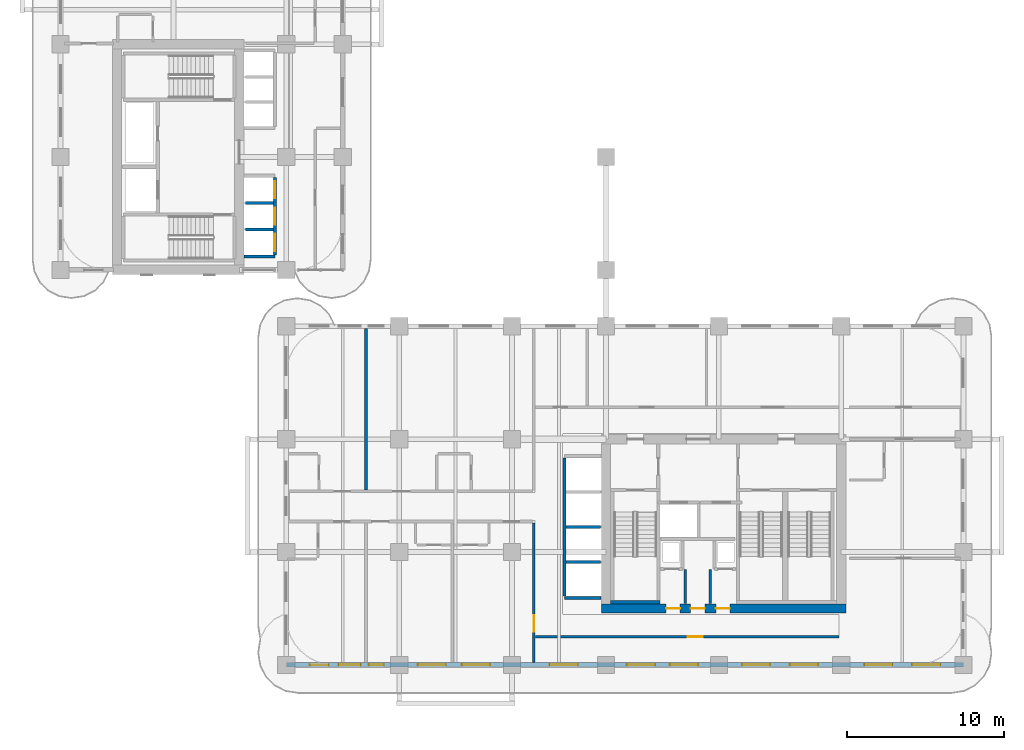
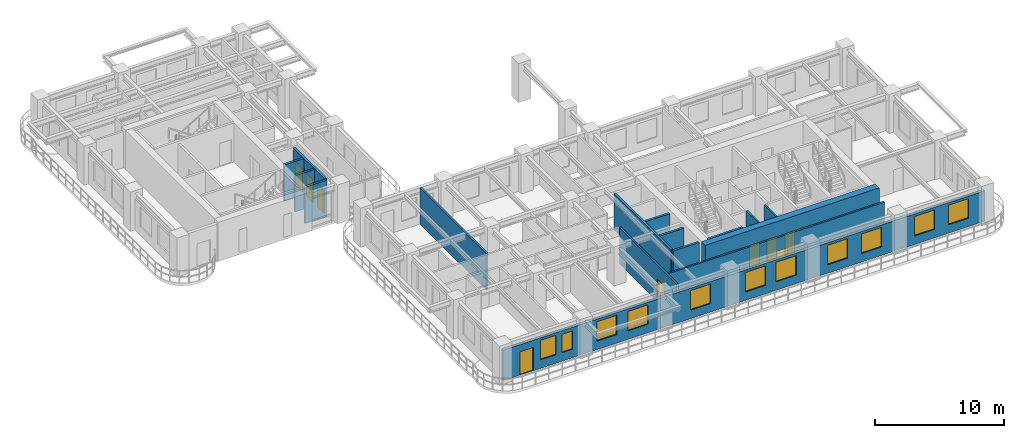
# One storey, part 7 of 18: 16 walls, 11 windows, 9 doors, 20 openings.
"""IFC4 building model written with IfcOpenShell, lengths in metres."""

from ifc_helpers import new_model, si_unit, derived_unit, direction, frame, frame_2d, origin, place, context, subcontext, project, spatial, rectangle, extrude, source, transform, mapped, material, layer, layer_set, type_object, type_shapes, element, fill, save


model = new_model("IFC4")

# Units and contexts
model_context = context("Model", 3, precision=1e-05, world=origin(), true_north=direction((0.0, 1.0)))
body_context = subcontext(model_context, "Body", "Model", "MODEL_VIEW")
ifc_project = project(units=[si_unit("LENGTHUNIT", "METRE"), si_unit("AREAUNIT", "SQUARE_METRE"), si_unit("VOLUMEUNIT", "CUBIC_METRE"), si_unit("PLANEANGLEUNIT", "RADIAN"), si_unit("MASSUNIT", "GRAM", prefix="KILO"), si_unit("THERMODYNAMICTEMPERATUREUNIT", "KELVIN"), si_unit("POWERUNIT", "WATT"), derived_unit("THERMALTRANSMITTANCEUNIT", [(si_unit("POWERUNIT", "WATT"), 1), (si_unit("AREAUNIT", "SQUARE_METRE"), -1), (si_unit("THERMODYNAMICTEMPERATUREUNIT", "KELVIN"), -1)])], contexts=[model_context])

# Site, building, storey
site_placement = place(None, origin())
site = spatial("IfcSite", under=ifc_project, at=site_placement, CompositionType="ELEMENT")
building_placement = place(site_placement, origin())
building = spatial("IfcBuilding", under=site, at=building_placement, Name="Zahravan Archway Hotel and Residences", CompositionType="ELEMENT")
storey_placement = place(building_placement, frame((0.0, 0.0, 36.10009765625)))
storey = spatial("IfcBuildingStorey", under=building, at=storey_placement, Name="L07", CompositionType="ELEMENT", Elevation=36.10009765625)

# Wall, openings, doors
ifc_material_1 = material(Name="Concrete C70/85", Category="concrete")
ifc_layer_1 = layer(ifc_material_1, 0.60009765625, Name="Concrete C70/85", Category="concrete")
ifc_layer_set_1 = layer_set([ifc_layer_1], Name="Concrete C70/85")
wall_type_1 = type_object("IfcWallType", Name="CW-CORE-600", PredefinedType="SHEAR", material=ifc_layer_set_1)
wall_1_placement = place(storey_placement, frame((34.5, 3.60009765625, 0.0), z_axis=(0.0, 0.0, 1.0), x_axis=(1.0, 0.0, 0.0)))
wall_1 = element("IfcWall", 1, at=wall_1_placement, inside=storey, type_object=wall_type_1, Name="L07 Core A Shear S Wall 600 mm", PredefinedType="SHEAR", context=body_context, shape_type="SweptSolid", body=[
    extrude(rectangle(XDim=15.60009765625, YDim=0.60009765625, at=frame_2d((7.800048828125, 0.0))), origin(), (0.0, 0.0, 1.0), 3.699951171875),
])
opening_1_placement = place(wall_1_placement, frame((4.1298828125, 0.0, 0.0)))
opening_1 = element("IfcOpeningElement", 2, at=opening_1_placement, cuts=wall_1, Name="Opening FD-R1", PredefinedType="OPENING", context=body_context, shape_type="SweptSolid", body=[
    extrude(rectangle(XDim=0.89990234375, YDim=2.10009765625, at=frame_2d((0.449951171875, 1.050048828125))), frame((0.0, 0.31005859375, 0.0), z_axis=(0.0, -1.0, 0.0), x_axis=(1.0, 0.0, 0.0)), (0.0, 0.0, 1.0), 0.6201171875),
])
opening_2_placement = place(wall_1_placement, frame((5.699951171875, 0.0, 0.0)))
opening_2 = element("IfcOpeningElement", 3, at=opening_2_placement, cuts=wall_1, Name="Opening FD-R1", PredefinedType="OPENING", context=body_context, shape_type="SweptSolid", body=[
    extrude(rectangle(XDim=0.89990234375, YDim=2.10009765625, at=frame_2d((0.449951171875, 1.050048828125))), frame((0.0, 0.31005859375, 0.0), z_axis=(0.0, -1.0, 0.0), x_axis=(1.0, 0.0, 0.0)), (0.0, 0.0, 1.0), 0.6201171875),
])
opening_3_placement = place(wall_1_placement, frame((7.300048828125, 0.0, 0.0)))
opening_3 = element("IfcOpeningElement", 4, at=opening_3_placement, cuts=wall_1, Name="Opening FD-R1", PredefinedType="OPENING", context=body_context, shape_type="SweptSolid", body=[
    extrude(rectangle(XDim=0.89990234375, YDim=2.10009765625, at=frame_2d((0.449951171875, 1.050048828125))), frame((0.0, 0.31005859375, 0.0), z_axis=(0.0, -1.0, 0.0), x_axis=(1.0, 0.0, 0.0)), (0.0, 0.0, 1.0), 0.6201171875),
])
ifc_material_2 = material(Name="Fire-Rated Painted Steel", Category="steel")
door_type_1 = type_object("IfcDoorType", Name="FD-RISER-900", OperationType="NOTDEFINED", PredefinedType="DOOR", material=ifc_material_2)
shared_shape_1 = source(origin(), body_context, "Body", "SweptSolid", [
    extrude(rectangle(XDim=0.89990234375, YDim=2.10009765625, at=frame_2d((0.449951171875, 1.050048828125))), frame((0.0, 0.02490234375, 0.0), z_axis=(0.0, -1.0, 0.0), x_axis=(1.0, 0.0, 0.0)), (0.0, 0.0, 1.0), 0.050048828125),
])
type_shapes(door_type_1, [shared_shape_1])
door_1_placement = place(opening_1_placement, origin())
door_1 = element("IfcDoor", 5, at=door_1_placement, inside=storey, type_object=door_type_1, Name="L07 Linen Store Door", OperationType="SINGLE_SWING_LEFT", OverallHeight=2.10009765625, OverallWidth=0.89990234375, PredefinedType="DOOR", context=body_context, shape_type="MappedRepresentation", body=[
    mapped(shared_shape_1, transform((0.0, 0.0, 0.0), scale=1.0)),
])
fill(opening_1, door_1)
door_2_placement = place(opening_2_placement, origin())
door_2 = element("IfcDoor", 6, at=door_2_placement, inside=storey, type_object=door_type_1, Name="L07 Housekeeping Store Door", OperationType="SINGLE_SWING_RIGHT", OverallHeight=2.10009765625, OverallWidth=0.89990234375, PredefinedType="DOOR", context=body_context, shape_type="MappedRepresentation", body=[
    mapped(shared_shape_1, transform((0.0, 0.0, 0.0), scale=1.0)),
])
fill(opening_2, door_2)
door_3_placement = place(opening_3_placement, origin())
door_3 = element("IfcDoor", 7, at=door_3_placement, inside=storey, type_object=door_type_1, Name="L07 Janitor Store Door", OperationType="SINGLE_SWING_LEFT", OverallHeight=2.10009765625, OverallWidth=0.89990234375, PredefinedType="DOOR", context=body_context, shape_type="MappedRepresentation", body=[
    mapped(shared_shape_1, transform((0.0, 0.0, 0.0), scale=1.0)),
])
fill(opening_3, door_3)

# Wall, openings, door, windows
ifc_material_3 = material(Name="Honed Red-Ochre Sandstone & Insulated Block", Category="masonry")
ifc_layer_2 = layer(ifc_material_3, 0.280029296875, Name="Honed Red-Ochre Sandstone & Insulated Block", Category="masonry")
ifc_layer_set_2 = layer_set([ifc_layer_2], Name="Honed Red-Ochre Sandstone & Insulated Block")
wall_type_2 = type_object("IfcWallType", Name="EW-LOG-280", PredefinedType="SOLIDWALL", material=ifc_layer_set_2)
wall_2_placement = place(storey_placement, frame((14.39990234375, 0.0, 0.0), z_axis=(0.0, 0.0, 1.0), x_axis=(1.0, 0.0, 0.0)))
wall_2 = element("IfcWall", 8, at=wall_2_placement, inside=storey, type_object=wall_type_2, Name="L07 Exterior Sandstone Wall WA-S", PredefinedType="SOLIDWALL", context=body_context, shape_type="SweptSolid", body=[
    extrude(rectangle(XDim=43.2001953125, YDim=0.280029296875, at=frame_2d((21.60009765625, 0.0))), origin(), (0.0, 0.0, 1.0), 2.885009765625),
])
opening_4_placement = place(wall_2_placement, frame((1.5, 0.0, 0.0)))
opening_4 = element("IfcOpeningElement", 9, at=opening_4_placement, cuts=wall_2, Name="Opening ED-BL1", PredefinedType="OPENING", context=body_context, shape_type="SweptSolid", body=[
    extrude(rectangle(XDim=1.199951171875, YDim=2.199951171875, at=frame_2d((0.60009765625, 1.10009765625))), frame((0.0, 0.14990234375, 0.0), z_axis=(0.0, -1.0, 0.0), x_axis=(1.0, 0.0, 0.0)), (0.0, 0.0, 1.0), 0.300048828125),
])
opening_5_placement = place(wall_2_placement, frame((3.3359375, 0.0, 0.800048828125)))
opening_5 = element("IfcOpeningElement", 10, at=opening_5_placement, cuts=wall_2, Name="Opening W-03", PredefinedType="OPENING", context=body_context, shape_type="SweptSolid", body=[
    extrude(rectangle(XDim=1.39990234375, YDim=1.85009765625, at=frame_2d((0.699951171875, 0.925048828125))), frame((0.0, 0.14990234375, 0.0), z_axis=(0.0, -1.0, 0.0), x_axis=(1.0, 0.0, 0.0)), (0.0, 0.0, 1.0), 0.300048828125),
])
opening_6_placement = place(wall_2_placement, frame((5.26904296875, 0.0, 0.800048828125)))
opening_6 = element("IfcOpeningElement", 11, at=opening_6_placement, cuts=wall_2, Name="Opening W-04", PredefinedType="OPENING", context=body_context, shape_type="SweptSolid", body=[
    extrude(rectangle(XDim=0.949951171875, YDim=1.75, at=frame_2d((0.47509765625, 0.875))), frame((0.0, 0.14990234375, 0.0), z_axis=(0.0, -1.0, 0.0), x_axis=(1.0, 0.0, 0.0)), (0.0, 0.0, 1.0), 0.300048828125),
])
opening_7_placement = place(wall_2_placement, frame((8.388916015625, 0.0, 0.800048828125)))
opening_7 = element("IfcOpeningElement", 12, at=opening_7_placement, cuts=wall_2, Name="Opening W-02", PredefinedType="OPENING", context=body_context, shape_type="SweptSolid", body=[
    extrude(rectangle(XDim=1.800048828125, YDim=1.85009765625, at=frame_2d((0.89990234375, 0.925048828125))), frame((0.0, 0.14990234375, 0.0), z_axis=(0.0, -1.0, 0.0), x_axis=(1.0, 0.0, 0.0)), (0.0, 0.0, 1.0), 0.300048828125),
])
opening_8_placement = place(wall_2_placement, frame((11.197021484375, 0.0, 0.800048828125)))
opening_8 = element("IfcOpeningElement", 13, at=opening_8_placement, cuts=wall_2, Name="Opening W-02", PredefinedType="OPENING", context=body_context, shape_type="SweptSolid", body=[
    extrude(rectangle(XDim=1.800048828125, YDim=1.85009765625, at=frame_2d((0.89990234375, 0.925048828125))), frame((0.0, 0.14990234375, 0.0), z_axis=(0.0, -1.0, 0.0), x_axis=(1.0, 0.0, 0.0)), (0.0, 0.0, 1.0), 0.300048828125),
])
opening_9_placement = place(wall_2_placement, frame((16.803955078125, 0.0, 0.800048828125)))
opening_9 = element("IfcOpeningElement", 14, at=opening_9_placement, cuts=wall_2, Name="Opening W-02", PredefinedType="OPENING", context=body_context, shape_type="SweptSolid", body=[
    extrude(rectangle(XDim=1.800048828125, YDim=1.85009765625, at=frame_2d((0.89990234375, 0.925048828125))), frame((0.0, 0.14990234375, 0.0), z_axis=(0.0, -1.0, 0.0), x_axis=(1.0, 0.0, 0.0)), (0.0, 0.0, 1.0), 0.300048828125),
])
opening_10_placement = place(wall_2_placement, frame((21.72509765625, 0.0, 0.800048828125)))
opening_10 = element("IfcOpeningElement", 15, at=opening_10_placement, cuts=wall_2, Name="Opening W-02", PredefinedType="OPENING", context=body_context, shape_type="SweptSolid", body=[
    extrude(rectangle(XDim=1.800048828125, YDim=1.85009765625, at=frame_2d((0.89990234375, 0.925048828125))), frame((0.0, 0.14990234375, 0.0), z_axis=(0.0, -1.0, 0.0), x_axis=(1.0, 0.0, 0.0)), (0.0, 0.0, 1.0), 0.300048828125),
])
opening_11_placement = place(wall_2_placement, frame((24.47509765625, 0.0, 0.800048828125)))
opening_11 = element("IfcOpeningElement", 16, at=opening_11_placement, cuts=wall_2, Name="Opening W-02", PredefinedType="OPENING", context=body_context, shape_type="SweptSolid", body=[
    extrude(rectangle(XDim=1.800048828125, YDim=1.85009765625, at=frame_2d((0.89990234375, 0.925048828125))), frame((0.0, 0.14990234375, 0.0), z_axis=(0.0, -1.0, 0.0), x_axis=(1.0, 0.0, 0.0)), (0.0, 0.0, 1.0), 0.300048828125),
])
opening_12_placement = place(wall_2_placement, frame((29.074951171875, 0.0, 0.800048828125)))
opening_12 = element("IfcOpeningElement", 17, at=opening_12_placement, cuts=wall_2, Name="Opening W-02", PredefinedType="OPENING", context=body_context, shape_type="SweptSolid", body=[
    extrude(rectangle(XDim=1.800048828125, YDim=1.85009765625, at=frame_2d((0.89990234375, 0.925048828125))), frame((0.0, 0.14990234375, 0.0), z_axis=(0.0, -1.0, 0.0), x_axis=(1.0, 0.0, 0.0)), (0.0, 0.0, 1.0), 0.300048828125),
])
opening_13_placement = place(wall_2_placement, frame((32.125, 0.0, 0.800048828125)))
opening_13 = element("IfcOpeningElement", 18, at=opening_13_placement, cuts=wall_2, Name="Opening W-02", PredefinedType="OPENING", context=body_context, shape_type="SweptSolid", body=[
    extrude(rectangle(XDim=1.800048828125, YDim=1.85009765625, at=frame_2d((0.89990234375, 0.925048828125))), frame((0.0, 0.14990234375, 0.0), z_axis=(0.0, -1.0, 0.0), x_axis=(1.0, 0.0, 0.0)), (0.0, 0.0, 1.0), 0.300048828125),
])
opening_14_placement = place(wall_2_placement, frame((36.875, 0.0, 0.800048828125)))
opening_14 = element("IfcOpeningElement", 19, at=opening_14_placement, cuts=wall_2, Name="Opening W-02", PredefinedType="OPENING", context=body_context, shape_type="SweptSolid", body=[
    extrude(rectangle(XDim=1.800048828125, YDim=1.85009765625, at=frame_2d((0.89990234375, 0.925048828125))), frame((0.0, 0.14990234375, 0.0), z_axis=(0.0, -1.0, 0.0), x_axis=(1.0, 0.0, 0.0)), (0.0, 0.0, 1.0), 0.300048828125),
])
opening_15_placement = place(wall_2_placement, frame((39.925048828125, 0.0, 0.800048828125)))
opening_15 = element("IfcOpeningElement", 20, at=opening_15_placement, cuts=wall_2, Name="Opening W-02", PredefinedType="OPENING", context=body_context, shape_type="SweptSolid", body=[
    extrude(rectangle(XDim=1.800048828125, YDim=1.85009765625, at=frame_2d((0.89990234375, 0.925048828125))), frame((0.0, 0.14990234375, 0.0), z_axis=(0.0, -1.0, 0.0), x_axis=(1.0, 0.0, 0.0)), (0.0, 0.0, 1.0), 0.300048828125),
])
ifc_material_4 = material(Name="Bronze-Anodized Glazed Aluminium", Category="aluminium")
door_type_2 = type_object("IfcDoorType", Name="ED-BALC-1200", OperationType="SLIDING_TO_LEFT", PredefinedType="DOOR", material=ifc_material_4)
shared_shape_2 = source(origin(), body_context, "Body", "SweptSolid", [
    extrude(rectangle(XDim=1.199951171875, YDim=2.199951171875, at=frame_2d((0.60009765625, 1.10009765625))), frame((0.0, 0.02490234375, 0.0), z_axis=(0.0, -1.0, 0.0), x_axis=(1.0, 0.0, 0.0)), (0.0, 0.0, 1.0), 0.050048828125),
])
type_shapes(door_type_2, [shared_shape_2])
door_4_placement = place(opening_4_placement, origin())
door_4 = element("IfcDoor", 21, at=door_4_placement, inside=storey, type_object=door_type_2, Name="L07 Outdoor Access Sliding Door (SLB-BAL-L07-SA)", OperationType="SLIDING_TO_LEFT", OverallHeight=2.199951171875, OverallWidth=1.199951171875, PredefinedType="DOOR", context=body_context, shape_type="MappedRepresentation", body=[
    mapped(shared_shape_2, transform((0.0, 0.0, 0.0), scale=1.0)),
])
fill(opening_4, door_4)
ifc_material_5 = material(Name="Bronze-Anodized Thermal-Break Aluminium & Low-E Glass", Category="aluminium")
window_type_1 = type_object("IfcWindowType", Name="WIN-TWR-1400", PartitioningType="SINGLE_PANEL", PredefinedType="WINDOW", material=ifc_material_5)
shared_shape_3 = source(origin(), body_context, "Body", "SweptSolid", [
    extrude(rectangle(XDim=1.39990234375, YDim=1.85009765625, at=frame_2d((0.699951171875, 0.925048828125))), frame((0.0, 0.030029296875, 0.0), z_axis=(0.0, -1.0, 0.0), x_axis=(1.0, 0.0, 0.0)), (0.0, 0.0, 1.0), 0.06005859375),
])
type_shapes(window_type_1, [shared_shape_3])
window_1_placement = place(opening_5_placement, origin())
window_1 = element("IfcWindow", 22, at=window_1_placement, inside=storey, type_object=window_type_1, Name="L07 Loggia Window 01", OverallHeight=1.85009765625, OverallWidth=1.39990234375, PartitioningType="SINGLE_PANEL", PredefinedType="WINDOW", context=body_context, shape_type="MappedRepresentation", body=[
    mapped(shared_shape_3, transform((0.0, 0.0, 0.0), scale=1.0)),
])
fill(opening_5, window_1)
window_type_2 = type_object("IfcWindowType", Name="WIN-NAR-950", PartitioningType="SINGLE_PANEL", PredefinedType="WINDOW", material=ifc_material_5)
shared_shape_4 = source(origin(), body_context, "Body", "SweptSolid", [
    extrude(rectangle(XDim=0.949951171875, YDim=1.75, at=frame_2d((0.47509765625, 0.875))), frame((0.0, 0.030029296875, 0.0), z_axis=(0.0, -1.0, 0.0), x_axis=(1.0, 0.0, 0.0)), (0.0, 0.0, 1.0), 0.06005859375),
])
type_shapes(window_type_2, [shared_shape_4])
window_2_placement = place(opening_6_placement, origin())
window_2 = element("IfcWindow", 23, at=window_2_placement, inside=storey, type_object=window_type_2, Name="L07 Loggia Window 02", OverallHeight=1.75, OverallWidth=0.949951171875, PartitioningType="SINGLE_PANEL", PredefinedType="WINDOW", context=body_context, shape_type="MappedRepresentation", body=[
    mapped(shared_shape_4, transform((0.0, 0.0, 0.0), scale=1.0)),
])
fill(opening_6, window_2)
window_type_3 = type_object("IfcWindowType", Name="WIN-TWR-1800", PartitioningType="DOUBLE_PANEL_VERTICAL", PredefinedType="WINDOW", material=ifc_material_5)
shared_shape_5 = source(origin(), body_context, "Body", "SweptSolid", [
    extrude(rectangle(XDim=1.800048828125, YDim=1.85009765625, at=frame_2d((0.89990234375, 0.925048828125))), frame((0.0, 0.030029296875, 0.0), z_axis=(0.0, -1.0, 0.0), x_axis=(1.0, 0.0, 0.0)), (0.0, 0.0, 1.0), 0.06005859375),
])
type_shapes(window_type_3, [shared_shape_5])
window_3_placement = place(opening_7_placement, origin())
window_3 = element("IfcWindow", 24, at=window_3_placement, inside=storey, type_object=window_type_3, Name="L07 Loggia Window 03", OverallHeight=1.85009765625, OverallWidth=1.800048828125, PartitioningType="DOUBLE_PANEL_VERTICAL", PredefinedType="WINDOW", context=body_context, shape_type="MappedRepresentation", body=[
    mapped(shared_shape_5, transform((0.0, 0.0, 0.0), scale=1.0)),
])
fill(opening_7, window_3)
window_4_placement = place(opening_8_placement, origin())
window_4 = element("IfcWindow", 25, at=window_4_placement, inside=storey, type_object=window_type_3, Name="L07 Loggia Window 04", OverallHeight=1.85009765625, OverallWidth=1.800048828125, PartitioningType="DOUBLE_PANEL_VERTICAL", PredefinedType="WINDOW", context=body_context, shape_type="MappedRepresentation", body=[
    mapped(shared_shape_5, transform((0.0, 0.0, 0.0), scale=1.0)),
])
fill(opening_8, window_4)
window_5_placement = place(opening_9_placement, origin())
window_5 = element("IfcWindow", 26, at=window_5_placement, inside=storey, type_object=window_type_3, Name="L07 Loggia Window 05", OverallHeight=1.85009765625, OverallWidth=1.800048828125, PartitioningType="DOUBLE_PANEL_VERTICAL", PredefinedType="WINDOW", context=body_context, shape_type="MappedRepresentation", body=[
    mapped(shared_shape_5, transform((0.0, 0.0, 0.0), scale=1.0)),
])
fill(opening_9, window_5)
window_6_placement = place(opening_10_placement, origin())
window_6 = element("IfcWindow", 27, at=window_6_placement, inside=storey, type_object=window_type_3, Name="L07 Loggia Window 06", OverallHeight=1.85009765625, OverallWidth=1.800048828125, PartitioningType="DOUBLE_PANEL_VERTICAL", PredefinedType="WINDOW", context=body_context, shape_type="MappedRepresentation", body=[
    mapped(shared_shape_5, transform((0.0, 0.0, 0.0), scale=1.0)),
])
fill(opening_10, window_6)
window_7_placement = place(opening_11_placement, origin())
window_7 = element("IfcWindow", 28, at=window_7_placement, inside=storey, type_object=window_type_3, Name="L07 Loggia Window 07", OverallHeight=1.85009765625, OverallWidth=1.800048828125, PartitioningType="DOUBLE_PANEL_VERTICAL", PredefinedType="WINDOW", context=body_context, shape_type="MappedRepresentation", body=[
    mapped(shared_shape_5, transform((0.0, 0.0, 0.0), scale=1.0)),
])
fill(opening_11, window_7)
window_8_placement = place(opening_12_placement, origin())
window_8 = element("IfcWindow", 29, at=window_8_placement, inside=storey, type_object=window_type_3, Name="L07 Loggia Window 08", OverallHeight=1.85009765625, OverallWidth=1.800048828125, PartitioningType="DOUBLE_PANEL_VERTICAL", PredefinedType="WINDOW", context=body_context, shape_type="MappedRepresentation", body=[
    mapped(shared_shape_5, transform((0.0, 0.0, 0.0), scale=1.0)),
])
fill(opening_12, window_8)
window_9_placement = place(opening_13_placement, origin())
window_9 = element("IfcWindow", 30, at=window_9_placement, inside=storey, type_object=window_type_3, Name="L07 Loggia Window 09", OverallHeight=1.85009765625, OverallWidth=1.800048828125, PartitioningType="DOUBLE_PANEL_VERTICAL", PredefinedType="WINDOW", context=body_context, shape_type="MappedRepresentation", body=[
    mapped(shared_shape_5, transform((0.0, 0.0, 0.0), scale=1.0)),
])
fill(opening_13, window_9)
window_10_placement = place(opening_14_placement, origin())
window_10 = element("IfcWindow", 31, at=window_10_placement, inside=storey, type_object=window_type_3, Name="L07 Loggia Window 10", OverallHeight=1.85009765625, OverallWidth=1.800048828125, PartitioningType="DOUBLE_PANEL_VERTICAL", PredefinedType="WINDOW", context=body_context, shape_type="MappedRepresentation", body=[
    mapped(shared_shape_5, transform((0.0, 0.0, 0.0), scale=1.0)),
])
fill(opening_14, window_10)
window_11_placement = place(opening_15_placement, origin())
window_11 = element("IfcWindow", 32, at=window_11_placement, inside=storey, type_object=window_type_3, Name="L07 Loggia Window 11", OverallHeight=1.85009765625, OverallWidth=1.800048828125, PartitioningType="DOUBLE_PANEL_VERTICAL", PredefinedType="WINDOW", context=body_context, shape_type="MappedRepresentation", body=[
    mapped(shared_shape_5, transform((0.0, 0.0, 0.0), scale=1.0)),
])
fill(opening_15, window_11)

# Wall, opening, door
ifc_material_6 = material(Name="Fire-Rated Gypsum & Concrete Block", Category="concrete")
ifc_layer_3 = layer(ifc_material_6, 0.159912109375, Name="Fire-Rated Gypsum & Concrete Block", Category="concrete")
ifc_layer_set_3 = layer_set([ifc_layer_3], Name="Fire-Rated Gypsum & Concrete Block")
wall_type_3 = type_object("IfcWallType", Name="PW-CORR-160", PredefinedType="PARTITIONING", material=ifc_layer_set_3)
wall_3_placement = place(storey_placement, frame((30.199951171875, 0.14794921875, 0.0), z_axis=(0.0, 0.0, 1.0), x_axis=(0.0, 1.0, 0.0)))
wall_3 = element("IfcWall", 33, at=wall_3_placement, inside=storey, type_object=wall_type_3, Name="L07 Partition WA-SRW", PredefinedType="PARTITIONING", context=body_context, shape_type="SweptSolid", body=[
    extrude(rectangle(XDim=8.912109375, YDim=0.159912109375, at=frame_2d((4.4560546875, 0.0))), origin(), (0.0, 0.0, 1.0), 3.449951171875),
])
opening_16_placement = place(wall_3_placement, frame((1.97705078125, 0.0, 0.0)))
opening_16 = element("IfcOpeningElement", 34, at=opening_16_placement, cuts=wall_3, Name="Opening FD-L2", PredefinedType="OPENING", context=body_context, shape_type="SweptSolid", body=[
    extrude(rectangle(XDim=1.050048828125, YDim=2.14990234375, at=frame_2d((0.52490234375, 1.074951171875))), frame((0.0, 0.08984375, 0.0), z_axis=(0.0, -1.0, 0.0), x_axis=(1.0, 0.0, 0.0)), (0.0, 0.0, 1.0), 0.179931640625),
])
door_type_3 = type_object("IfcDoorType", Name="FD-LOBBY-1100", OperationType="NOTDEFINED", PredefinedType="DOOR", material=ifc_material_2)
shared_shape_6 = source(origin(), body_context, "Body", "SweptSolid", [
    extrude(rectangle(XDim=1.050048828125, YDim=2.14990234375, at=frame_2d((0.52490234375, 1.074951171875))), frame((0.0, 0.02490234375, 0.0), z_axis=(0.0, -1.0, 0.0), x_axis=(1.0, 0.0, 0.0)), (0.0, 0.0, 1.0), 0.050048828125),
])
type_shapes(door_type_3, [shared_shape_6])
door_5_placement = place(opening_16_placement, origin())
door_5 = element("IfcDoor", 35, at=door_5_placement, inside=storey, type_object=door_type_3, Name="L07 South Riser Corridor Door", OperationType="SINGLE_SWING_LEFT", OverallHeight=2.14990234375, OverallWidth=1.050048828125, PredefinedType="DOOR", context=body_context, shape_type="MappedRepresentation", body=[
    mapped(shared_shape_6, transform((0.0, 0.0, 0.0), scale=1.0)),
])
fill(opening_16, door_5)

wall_4_placement = place(storey_placement, frame((30.2900390625, 1.800048828125, 0.0), z_axis=(0.0, 0.0, 1.0), x_axis=(1.0, 0.0, 0.0)))
wall_4 = element("IfcWall", 36, at=wall_4_placement, inside=storey, type_object=wall_type_3, Name="L07 Partition WA-SRS", PredefinedType="PARTITIONING", context=body_context, shape_type="SweptSolid", body=[
    extrude(rectangle(XDim=19.369873046875, YDim=0.159912109375, at=frame_2d((9.68505859375, 0.0))), origin(), (0.0, 0.0, 1.0), 3.449951171875),
])
opening_17_placement = place(wall_4_placement, frame((9.735107421875, 0.0, 0.0)))
opening_17 = element("IfcOpeningElement", 37, at=opening_17_placement, cuts=wall_4, Name="Opening D-I1", PredefinedType="OPENING", context=body_context, shape_type="SweptSolid", body=[
    extrude(rectangle(XDim=0.949951171875, YDim=2.14990234375, at=frame_2d((0.47509765625, 1.074951171875))), frame((0.0, 0.08984375, 0.0), z_axis=(0.0, -1.0, 0.0), x_axis=(1.0, 0.0, 0.0)), (0.0, 0.0, 1.0), 0.179931640625),
])
ifc_material_7 = material(Name="Hardwood Veneer Timber", Category="wood")
door_type_4 = type_object("IfcDoorType", Name="ID-INT-950", OperationType="NOTDEFINED", PredefinedType="DOOR", material=ifc_material_7)
shared_shape_7 = source(origin(), body_context, "Body", "SweptSolid", [
    extrude(rectangle(XDim=0.949951171875, YDim=2.14990234375, at=frame_2d((0.47509765625, 1.074951171875))), frame((0.0, 0.02490234375, 0.0), z_axis=(0.0, -1.0, 0.0), x_axis=(1.0, 0.0, 0.0)), (0.0, 0.0, 1.0), 0.050048828125),
])
type_shapes(door_type_4, [shared_shape_7])
door_6_placement = place(opening_17_placement, origin())
door_6 = element("IfcDoor", 38, at=door_6_placement, inside=storey, type_object=door_type_4, Name="L07 South Viewing Lounge Door", OperationType="SINGLE_SWING_RIGHT", OverallHeight=2.14990234375, OverallWidth=0.949951171875, PredefinedType="DOOR", context=body_context, shape_type="MappedRepresentation", body=[
    mapped(shared_shape_7, transform((0.0, 0.0, 0.0), scale=1.0)),
])
fill(opening_17, door_6)

# Walls
ifc_layer_4 = layer(ifc_material_6, 0.199951171875, Name="Fire-Rated Gypsum & Concrete Block", Category="concrete")
ifc_layer_set_4 = layer_set([ifc_layer_4], Name="Fire-Rated Gypsum & Concrete Block")
wall_type_4 = type_object("IfcWallType", Name="PW-SHAFT-200", PredefinedType="PARTITIONING", material=ifc_layer_set_4)
wall_5_placement = place(storey_placement, frame((32.159912109375, 4.280029296875, 0.0), z_axis=(0.0, 0.0, 1.0), x_axis=(1.0, 0.0, 0.0)))
element("IfcWall", 39, at=wall_5_placement, inside=storey, type_object=wall_type_4, Name="L07 Partition B3-S", PredefinedType="PARTITIONING", context=body_context, shape_type="SweptSolid", body=[
    extrude(rectangle(XDim=2.31005859375, YDim=0.199951171875, at=frame_2d((1.155029296875, 0.0))), origin(), (0.0, 0.0, 1.0), 3.449951171875),
])
wall_6_placement = place(storey_placement, frame((32.14990234375, 4.389892578125, 0.0), z_axis=(0.0, 0.0, 1.0), x_axis=(0.0, 1.0, 0.0)))
element("IfcWall", 40, at=wall_6_placement, inside=storey, type_object=wall_type_4, Name="L07 Partition B3-W", PredefinedType="PARTITIONING", context=body_context, shape_type="SweptSolid", body=[
    extrude(rectangle(XDim=8.820068359375, YDim=0.199951171875, at=frame_2d((4.41015625, 0.0))), origin(), (0.0, 0.0, 1.0), 3.449951171875),
])
for number, where, z_axis, x_axis, name in (
    (41, (32.260009765625, 6.56005859375, 0.0), (0.0, 0.0, 1.0), (1.0, 0.0, 0.0), "L07 Partition B3-D"),
    (42, (32.260009765625, 8.800048828125, 0.0), (0.0, 0.0, 1.0), (1.0, 0.0, 0.0), "L07 Partition B3-D"),
):
    element("IfcWall", number, at=place(storey_placement, frame(where, z_axis=z_axis, x_axis=x_axis)), inside=storey, type_object=wall_type_4, Name=name, PredefinedType="PARTITIONING", context=body_context, shape_type="SweptSolid", body=[
        extrude(rectangle(XDim=2.179931640625, YDim=0.199951171875, at=frame_2d((1.08984375, 0.0))), origin(), (0.0, 0.0, 1.0), 3.449951171875),
    ])
wall_7_placement = place(storey_placement, frame((11.7099609375, 26.050048828125, 0.0), z_axis=(0.0, 0.0, 1.0), x_axis=(1.0, 0.0, 0.0)))
element("IfcWall", 43, at=wall_7_placement, inside=storey, type_object=wall_type_4, Name="L07 Partition B1-S", PredefinedType="PARTITIONING", context=body_context, shape_type="SweptSolid", body=[
    extrude(rectangle(XDim=1.9599609375, YDim=0.199951171875, at=frame_2d((0.97998046875, 0.0))), origin(), (0.0, 0.0, 1.0), 3.449951171875),
])

# Wall, openings, doors
wall_8_placement = place(storey_placement, frame((13.679931640625, 26.159912109375, 0.0), z_axis=(0.0, 0.0, 1.0), x_axis=(0.0, 1.0, 0.0)))
wall_8 = element("IfcWall", 44, at=wall_8_placement, inside=storey, type_object=wall_type_4, Name="L07 Partition B1-E", PredefinedType="PARTITIONING", context=body_context, shape_type="SweptSolid", body=[
    extrude(rectangle(XDim=4.940185546875, YDim=0.199951171875, at=frame_2d((2.47021484375, 0.0))), origin(), (0.0, 0.0, 1.0), 3.449951171875),
])
opening_18_placement = place(wall_8_placement, frame((0.239990234375, 0.0, 0.0)))
opening_18 = element("IfcOpeningElement", 45, at=opening_18_placement, cuts=wall_8, Name="Opening LD", PredefinedType="OPENING", context=body_context, shape_type="SweptSolid", body=[
    extrude(rectangle(XDim=1.10009765625, YDim=2.199951171875, at=frame_2d((0.550048828125, 1.10009765625))), frame((0.0, 0.10986328125, 0.0), z_axis=(0.0, -1.0, 0.0), x_axis=(1.0, 0.0, 0.0)), (0.0, 0.0, 1.0), 0.219970703125),
])
opening_19_placement = place(wall_8_placement, frame((1.919921875, 0.0, 0.0)))
opening_19 = element("IfcOpeningElement", 46, at=opening_19_placement, cuts=wall_8, Name="Opening LD", PredefinedType="OPENING", context=body_context, shape_type="SweptSolid", body=[
    extrude(rectangle(XDim=1.10009765625, YDim=2.199951171875, at=frame_2d((0.550048828125, 1.10009765625))), frame((0.0, 0.10986328125, 0.0), z_axis=(0.0, -1.0, 0.0), x_axis=(1.0, 0.0, 0.0)), (0.0, 0.0, 1.0), 0.219970703125),
])
opening_20_placement = place(wall_8_placement, frame((3.60009765625, 0.0, 0.0)))
opening_20 = element("IfcOpeningElement", 47, at=opening_20_placement, cuts=wall_8, Name="Opening LD", PredefinedType="OPENING", context=body_context, shape_type="SweptSolid", body=[
    extrude(rectangle(XDim=1.10009765625, YDim=2.199951171875, at=frame_2d((0.550048828125, 1.10009765625))), frame((0.0, 0.10986328125, 0.0), z_axis=(0.0, -1.0, 0.0), x_axis=(1.0, 0.0, 0.0)), (0.0, 0.0, 1.0), 0.219970703125),
])
ifc_material_8 = material(Name="Brushed Stainless Steel", Category="steel")
door_type_5 = type_object("IfcDoorType", Name="DR-LIFT-LD", OperationType="SLIDING_TO_LEFT", PredefinedType="DOOR", material=ifc_material_8)
shared_shape_8 = source(origin(), body_context, "Body", "SweptSolid", [
    extrude(rectangle(XDim=1.10009765625, YDim=2.199951171875, at=frame_2d((0.550048828125, 1.10009765625))), frame((0.0, 0.02490234375, 0.0), z_axis=(0.0, -1.0, 0.0), x_axis=(1.0, 0.0, 0.0)), (0.0, 0.0, 1.0), 0.050048828125),
])
type_shapes(door_type_5, [shared_shape_8])
door_7_placement = place(opening_18_placement, origin())
door_7 = element("IfcDoor", 48, at=door_7_placement, inside=storey, type_object=door_type_5, Name="L07 Lift LP-1 Sliding Landing Door", OperationType="SLIDING_TO_LEFT", OverallHeight=2.199951171875, OverallWidth=1.10009765625, PredefinedType="DOOR", context=body_context, shape_type="MappedRepresentation", body=[
    mapped(shared_shape_8, transform((0.0, 0.0, 0.0), scale=1.0)),
])
fill(opening_18, door_7)
door_8_placement = place(opening_19_placement, origin())
door_8 = element("IfcDoor", 49, at=door_8_placement, inside=storey, type_object=door_type_5, Name="L07 Lift LP-2 Sliding Landing Door", OperationType="SLIDING_TO_LEFT", OverallHeight=2.199951171875, OverallWidth=1.10009765625, PredefinedType="DOOR", context=body_context, shape_type="MappedRepresentation", body=[
    mapped(shared_shape_8, transform((0.0, 0.0, 0.0), scale=1.0)),
])
fill(opening_19, door_8)
door_9_placement = place(opening_20_placement, origin())
door_9 = element("IfcDoor", 50, at=door_9_placement, inside=storey, type_object=door_type_5, Name="L07 Lift LP-3 Sliding Landing Door", OperationType="SLIDING_TO_LEFT", OverallHeight=2.199951171875, OverallWidth=1.10009765625, PredefinedType="DOOR", context=body_context, shape_type="MappedRepresentation", body=[
    mapped(shared_shape_8, transform((0.0, 0.0, 0.0), scale=1.0)),
])
fill(opening_20, door_9)

# Walls
for number, where, z_axis, x_axis, name in (
    (51, (11.81005859375, 27.7900390625, 0.0), (0.0, 0.0, 1.0), (1.0, 0.0, 0.0), "L07 Partition B1-D"),
    (52, (11.81005859375, 29.469970703125, 0.0), (0.0, 0.0, 1.0), (1.0, 0.0, 0.0), "L07 Partition B1-D"),
):
    element("IfcWall", number, at=place(storey_placement, frame(where, z_axis=z_axis, x_axis=x_axis)), inside=storey, type_object=wall_type_4, Name=name, PredefinedType="PARTITIONING", context=body_context, shape_type="SweptSolid", body=[
        extrude(rectangle(XDim=1.760009765625, YDim=0.199951171875, at=frame_2d((0.8798828125, 0.0))), origin(), (0.0, 0.0, 1.0), 3.449951171875),
    ])
ifc_material_9 = material(Name="Acoustic Stud Partition")
ifc_layer_5 = layer(ifc_material_9, 0.169921875, Name="Acoustic Stud Partition")
ifc_layer_set_5 = layer_set([ifc_layer_5], Name="Acoustic Stud Partition")
wall_type_5 = type_object("IfcWallType", Name="PW-UNIT-170", PredefinedType="PARTITIONING", material=ifc_layer_set_5)
wall_9_placement = place(storey_placement, frame((19.47998046875, 11.159912109375, 0.0), z_axis=(0.0, 0.0, 1.0), x_axis=(0.0, 1.0, 0.0)))
element("IfcWall", 53, at=wall_9_placement, inside=storey, type_object=wall_type_5, Name="L07 Partition WAN-P0", PredefinedType="PARTITIONING", context=body_context, shape_type="SweptSolid", body=[
    extrude(rectangle(XDim=10.2919921875, YDim=0.169921875, at=frame_2d((5.14599609375, 0.0))), origin(), (0.0, 0.0, 1.0), 3.449951171875),
])
ifc_material_10 = material(Name="Moisture-Resistant Blockwork", Category="masonry")
ifc_layer_6 = layer(ifc_material_10, 0.139892578125, Name="Moisture-Resistant Blockwork", Category="masonry")
ifc_layer_set_6 = layer_set([ifc_layer_6], Name="Moisture-Resistant Blockwork")
wall_type_6 = type_object("IfcWallType", Name="PW-WET-140", PredefinedType="PARTITIONING", material=ifc_layer_set_6)
for number, where, z_axis, x_axis, name in (
    (54, (39.85009765625, 3.919921875, 0.0), (0.0, 0.0, 1.0), (0.0, 1.0, 0.0), "L07 Partition CA-CV1A"),
    (55, (41.449951171875, 3.919921875, 0.0), (0.0, 0.0, 1.0), (0.0, 1.0, 0.0), "L07 Partition CA-CV1B"),
):
    element("IfcWall", number, at=place(storey_placement, frame(where, z_axis=z_axis, x_axis=x_axis)), inside=storey, type_object=wall_type_6, Name=name, PredefinedType="PARTITIONING", context=body_context, shape_type="SweptSolid", body=[
        extrude(rectangle(XDim=2.16015625, YDim=0.139892578125, at=frame_2d((1.080078125, 0.0))), origin(), (0.0, 0.0, 1.0), 3.449951171875),
    ])
ifc_material_11 = material(Name="Concrete C50/60", Category="concrete")
ifc_layer_7 = layer(ifc_material_11, 0.199951171875, Name="Concrete C50/60", Category="concrete")
ifc_layer_set_7 = layer_set([ifc_layer_7], Name="Concrete C50/60")
wall_type_7 = type_object("IfcWallType", Name="SW-STAIR-200", PredefinedType="SHEAR", material=ifc_layer_set_7)
wall_10_placement = place(storey_placement, frame((35.10009765625, 4.0, 0.0), z_axis=(0.0, 0.0, 1.0), x_axis=(1.0, 0.0, 0.0)))
element("IfcWall", 56, at=wall_10_placement, inside=storey, type_object=wall_type_7, Name="L07 Stairwell RC Wall CA-SA1S", PredefinedType="SHEAR", context=body_context, shape_type="SweptSolid", body=[
    extrude(rectangle(XDim=3.139892578125, YDim=0.199951171875, at=frame_2d((1.56982421875, 0.0))), origin(), (0.0, 0.0, 1.0), 3.699951171875),
])

save(model, "model.ifc")
